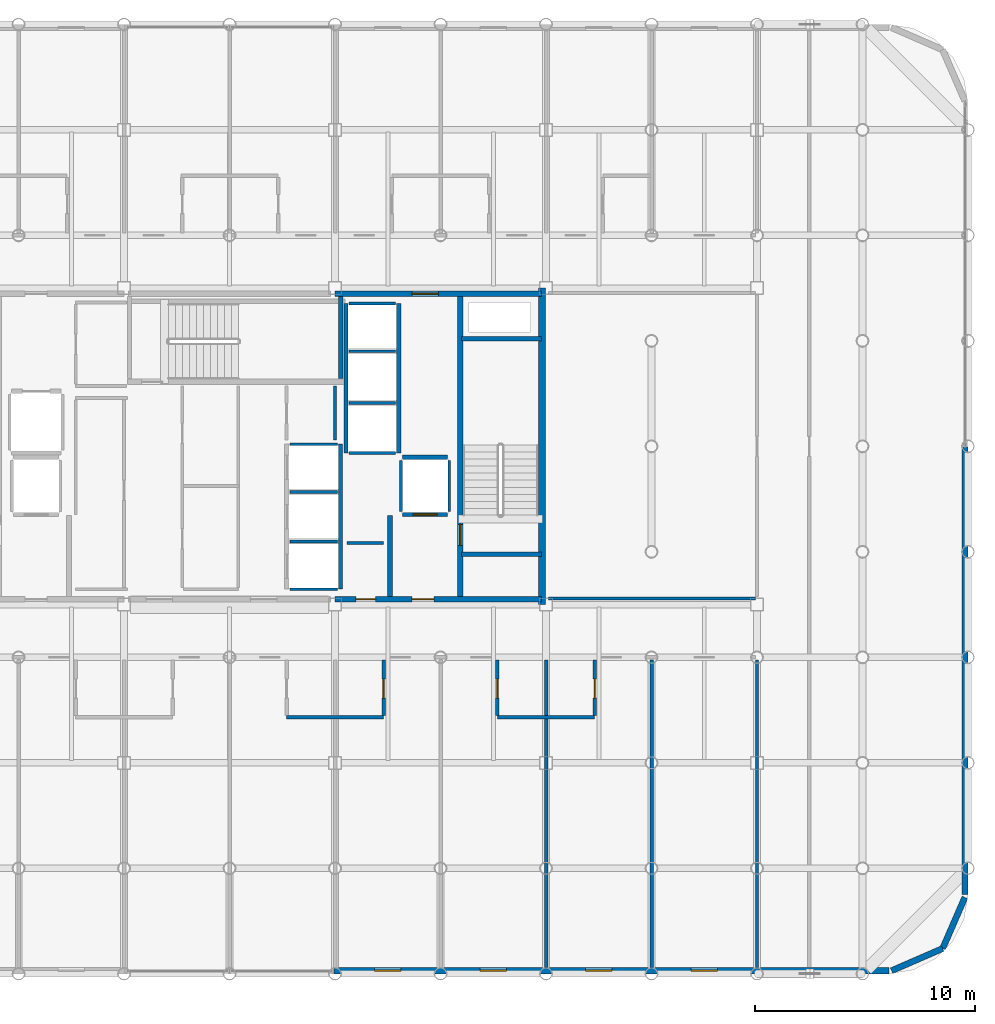
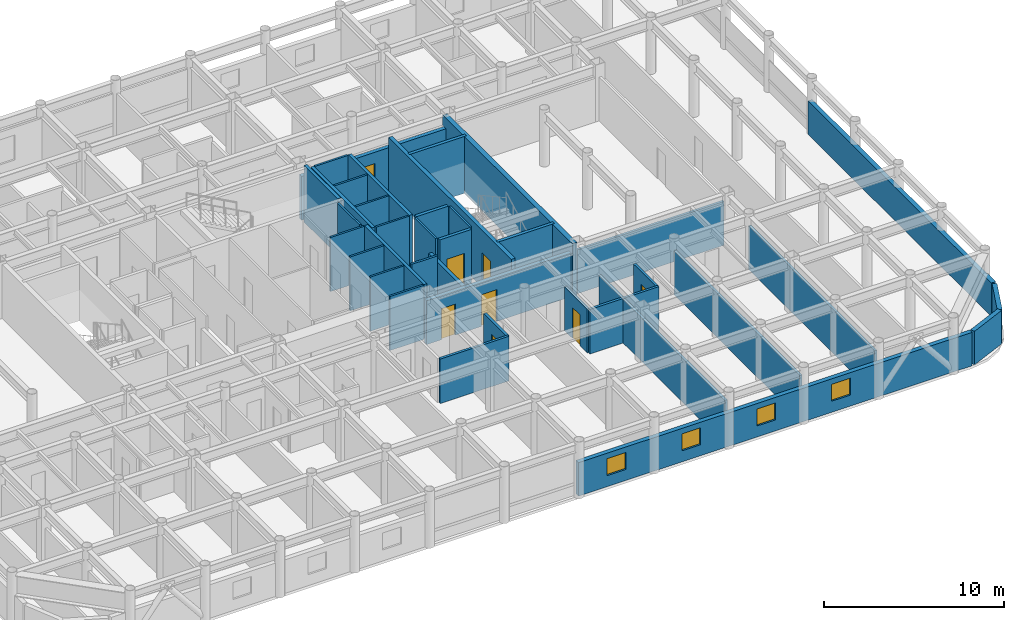
# One storey, part 19 of 22: 38 walls, 8 doors, 4 windows, 12 openings.
"""IFC4 building model written with IfcOpenShell, lengths in metres."""

from ifc_helpers import new_model, si_unit, direction, frame, frame_2d, origin, place, context, subcontext, project, spatial, rectangle, extrude, material, layer, layer_set, type_object, element, fill, save


model = new_model("IFC4")

# Units and contexts
model_context = context("Model", 3, precision=1e-05, world=origin(), true_north=direction((0.0, 1.0)))
body_context = subcontext(model_context, "Body", "Model", "MODEL_VIEW")
ifc_project = project(units=[si_unit("LENGTHUNIT", "METRE"), si_unit("AREAUNIT", "SQUARE_METRE"), si_unit("VOLUMEUNIT", "CUBIC_METRE"), si_unit("PLANEANGLEUNIT", "RADIAN"), si_unit("MASSUNIT", "GRAM", prefix="KILO")], contexts=[model_context])

# Site, building, storey
site_placement = place(None, origin())
site = spatial("IfcSite", under=ifc_project, at=site_placement, CompositionType="ELEMENT")
building_placement = place(site_placement, origin())
building = spatial("IfcBuilding", under=site, at=building_placement, Name="Kallvorn Hotel Tower", CompositionType="ELEMENT")
storey_placement = place(building_placement, frame((0.0, 0.0, 199.199951171875)))
storey = spatial("IfcBuildingStorey", under=building, at=storey_placement, Name="L49", CompositionType="ELEMENT", Elevation=199.199951171875)

# Walls
ifc_material_1 = material(Name="Concrete C50/60", Category="concrete")
ifc_layer_1 = layer(ifc_material_1, 0.300048828125)
ifc_layer_set_1 = layer_set([ifc_layer_1], Name="WL_CORE_300")
wall_type_1 = type_object("IfcWallType", Name="WL_CORE_300", PredefinedType="SHEAR", material=ifc_layer_set_1)
wall_1_placement = place(storey_placement, frame((14.215087890625, -7.199951171875, -0.179931640625), z_axis=(0.0, 0.0, 1.0), x_axis=(0.0, 1.0, 0.0)))
element("IfcWall", 1, at=wall_1_placement, inside=storey, type_object=wall_type_1, Name="L49 Core East Shear Wall", PredefinedType="SHEAR", context=body_context, shape_type="SweptSolid", body=[
    extrude(rectangle(XDim=14.39990234375, YDim=0.300048828125, at=frame_2d((7.199951171875, 0.0))), origin(), (0.0, 0.0, 1.0), 3.85009765625),
])
ifc_material_2 = material(Name="Fire-rated double-layer acoustic gypsum drywall EI 60")
ifc_layer_2 = layer(ifc_material_2, 0.159912109375)
ifc_layer_set_2 = layer_set([ifc_layer_2], Name="WL_DEMISE_160")
wall_type_2 = type_object("IfcWallType", Name="WL_DEMISE_160", PredefinedType="PARTITIONING", material=ifc_layer_set_2)
wall_2_placement = place(storey_placement, frame((2.590087890625, -12.320068359375, 0.0), z_axis=(0.0, 0.0, 1.0), x_axis=(1.0, 0.0, 0.0)))
element("IfcWall", 2, at=wall_2_placement, inside=storey, type_object=wall_type_2, Name="L49 Suite 4905 Superior Twin Room Partition", PredefinedType="PARTITIONING", context=body_context, shape_type="SweptSolid", body=[
    extrude(rectangle(XDim=4.419921875, YDim=0.159912109375, at=frame_2d((2.2099609375, 0.0))), origin(), (0.0, 0.0, 1.0), 3.02001953125),
])
wall_3_placement = place(storey_placement, frame((12.18994140625, -12.320068359375, 0.0), z_axis=(0.0, 0.0, 1.0), x_axis=(1.0, 0.0, 0.0)))
element("IfcWall", 3, at=wall_3_placement, inside=storey, type_object=wall_type_2, Name="L49 Suite 4907 Superior Twin Room Partition", PredefinedType="PARTITIONING", context=body_context, shape_type="SweptSolid", body=[
    extrude(rectangle(XDim=4.420166015625, YDim=0.159912109375, at=frame_2d((2.2099609375, 0.0))), origin(), (0.0, 0.0, 1.0), 3.02001953125),
])

# Wall, opening, door
wall_4_placement = place(storey_placement, frame((7.006591796875, -12.235107421875, 0.0), z_axis=(0.0, 0.0, 1.0), x_axis=(0.0, 1.0, 0.0)))
wall_4 = element("IfcWall", 4, at=wall_4_placement, inside=storey, type_object=wall_type_2, Name="L49 Suite 4906 Superior Twin Room Partition", PredefinedType="PARTITIONING", context=body_context, shape_type="SweptSolid", body=[
    extrude(rectangle(XDim=2.51513671875, YDim=0.159912109375, at=frame_2d((1.257568359375, 0.0))), origin(), (0.0, 0.0, 1.0), 2.969970703125),
])
opening_1_placement = place(wall_4_placement, frame((0.784912109375, 0.0, 0.0)))
opening_1 = element("IfcOpeningElement", 5, at=opening_1_placement, cuts=wall_4, Name="Opening BD-I", PredefinedType="OPENING", context=body_context, shape_type="SweptSolid", body=[
    extrude(rectangle(XDim=0.860107421875, YDim=2.10009765625, at=frame_2d((0.43017578125, 1.050048828125))), frame((0.0, 0.094970703125, 0.0), z_axis=(0.0, -1.0, 0.0), x_axis=(1.0, 0.0, 0.0)), (0.0, 0.0, 1.0), 0.18994140625),
])
ifc_material_3 = material(Name="Solid-core walnut veneer fire-rated timber door leaf", Category="wood")
door_type_1 = type_object("IfcDoorType", Name="DR_BATH_860x2100", OperationType="NOTDEFINED", PredefinedType="DOOR", material=ifc_material_3)
door_1_placement = place(opening_1_placement, origin())
door_1 = element("IfcDoor", 6, at=door_1_placement, inside=storey, type_object=door_type_1, Name="L49 Suite 4906 En-Suite Bathroom Door", OperationType="SINGLE_SWING_LEFT", OverallHeight=2.10009765625, OverallWidth=0.860107421875, PredefinedType="DOOR", context=body_context, shape_type="SweptSolid", body=[
    extrude(rectangle(XDim=0.860107421875, YDim=2.10009765625, at=frame_2d((0.43017578125, 1.050048828125))), frame((0.0, 0.02490234375, 0.0), z_axis=(0.0, -1.0, 0.0), x_axis=(1.0, 0.0, 0.0)), (0.0, 0.0, 1.0), 0.050048828125),
])
fill(opening_1, door_1)

wall_5_placement = place(storey_placement, frame((12.18994140625, -12.235107421875, 0.0), z_axis=(0.0, 0.0, 1.0), x_axis=(0.0, 1.0, 0.0)))
wall_5 = element("IfcWall", 7, at=wall_5_placement, inside=storey, type_object=wall_type_2, Name="L49 Suite 4907 Superior Twin Room Partition", PredefinedType="PARTITIONING", context=body_context, shape_type="SweptSolid", body=[
    extrude(rectangle(XDim=2.51513671875, YDim=0.159912109375, at=frame_2d((1.257568359375, 0.0))), origin(), (0.0, 0.0, 1.0), 2.969970703125),
])
opening_2_placement = place(wall_5_placement, frame((0.784912109375, 0.0, 0.0)))
opening_2 = element("IfcOpeningElement", 8, at=opening_2_placement, cuts=wall_5, Name="Opening BD-I", PredefinedType="OPENING", context=body_context, shape_type="SweptSolid", body=[
    extrude(rectangle(XDim=0.860107421875, YDim=2.10009765625, at=frame_2d((0.43017578125, 1.050048828125))), frame((0.0, 0.094970703125, 0.0), z_axis=(0.0, -1.0, 0.0), x_axis=(1.0, 0.0, 0.0)), (0.0, 0.0, 1.0), 0.18994140625),
])
door_2_placement = place(opening_2_placement, origin())
door_2 = element("IfcDoor", 9, at=door_2_placement, inside=storey, type_object=door_type_1, Name="L49 Suite 4907 En-Suite Bathroom Door", OperationType="SINGLE_SWING_RIGHT", OverallHeight=2.10009765625, OverallWidth=0.860107421875, PredefinedType="DOOR", context=body_context, shape_type="SweptSolid", body=[
    extrude(rectangle(XDim=0.860107421875, YDim=2.10009765625, at=frame_2d((0.43017578125, 1.050048828125))), frame((0.0, 0.02490234375, 0.0), z_axis=(0.0, -1.0, 0.0), x_axis=(1.0, 0.0, 0.0)), (0.0, 0.0, 1.0), 0.050048828125),
])
fill(opening_2, door_2)

# Wall
wall_6_placement = place(storey_placement, frame((14.39990234375, -23.7099609375, 0.0), z_axis=(0.0, 0.0, 1.0), x_axis=(0.0, 1.0, 0.0)))
element("IfcWall", 10, at=wall_6_placement, inside=storey, type_object=wall_type_2, Name="L49 Suite 4907 Superior Twin Room Partition", PredefinedType="PARTITIONING", context=body_context, shape_type="SweptSolid", body=[
    extrude(rectangle(XDim=13.989990234375, YDim=0.159912109375, at=frame_2d((6.9951171875, 0.0))), origin(), (0.0, 0.0, 1.0), 2.969970703125),
])

# Wall, opening, door
wall_7_placement = place(storey_placement, frame((16.610107421875, -12.235107421875, 0.0), z_axis=(0.0, 0.0, 1.0), x_axis=(0.0, 1.0, 0.0)))
wall_7 = element("IfcWall", 11, at=wall_7_placement, inside=storey, type_object=wall_type_2, Name="L49 Suite 4908 Superior Twin Room Partition", PredefinedType="PARTITIONING", context=body_context, shape_type="SweptSolid", body=[
    extrude(rectangle(XDim=2.51513671875, YDim=0.159912109375, at=frame_2d((1.257568359375, 0.0))), origin(), (0.0, 0.0, 1.0), 2.969970703125),
])
opening_3_placement = place(wall_7_placement, frame((0.784912109375, 0.0, 0.0)))
opening_3 = element("IfcOpeningElement", 12, at=opening_3_placement, cuts=wall_7, Name="Opening BD-I", PredefinedType="OPENING", context=body_context, shape_type="SweptSolid", body=[
    extrude(rectangle(XDim=0.860107421875, YDim=2.10009765625, at=frame_2d((0.43017578125, 1.050048828125))), frame((0.0, 0.094970703125, 0.0), z_axis=(0.0, -1.0, 0.0), x_axis=(1.0, 0.0, 0.0)), (0.0, 0.0, 1.0), 0.18994140625),
])
door_3_placement = place(opening_3_placement, origin())
door_3 = element("IfcDoor", 13, at=door_3_placement, inside=storey, type_object=door_type_1, Name="L49 Suite 4908 En-Suite Bathroom Door", OperationType="SINGLE_SWING_RIGHT", OverallHeight=2.10009765625, OverallWidth=0.860107421875, PredefinedType="DOOR", context=body_context, shape_type="SweptSolid", body=[
    extrude(rectangle(XDim=0.860107421875, YDim=2.10009765625, at=frame_2d((0.43017578125, 1.050048828125))), frame((0.0, 0.02490234375, 0.0), z_axis=(0.0, -1.0, 0.0), x_axis=(1.0, 0.0, 0.0)), (0.0, 0.0, 1.0), 0.050048828125),
])
fill(opening_3, door_3)

# Walls
wall_8_placement = place(storey_placement, frame((19.199951171875, -23.7099609375, 0.0), z_axis=(0.0, 0.0, 1.0), x_axis=(0.0, 1.0, 0.0)))
element("IfcWall", 14, at=wall_8_placement, inside=storey, type_object=wall_type_2, Name="L49 Suite 4908 Superior Twin Room Partition", PredefinedType="PARTITIONING", context=body_context, shape_type="SweptSolid", body=[
    extrude(rectangle(XDim=13.989990234375, YDim=0.159912109375, at=frame_2d((6.9951171875, 0.0))), origin(), (0.0, 0.0, 1.0), 2.969970703125),
])
ifc_material_4 = material(Name="Precast basalt-clad insulated concrete wall C40/50", Category="masonry")
ifc_layer_3 = layer(ifc_material_4, 0.280029296875)
ifc_layer_set_3 = layer_set([ifc_layer_3], Name="WL_EXT_LOGGIA_280")
wall_type_3 = type_object("IfcWallType", Name="WL_EXT_LOGGIA_280", PredefinedType="SOLIDWALL", material=ifc_layer_set_3)
wall_9_placement = place(storey_placement, frame((30.120849609375, -23.85791015625, 0.0), z_axis=(0.0, 0.0, 1.0), x_axis=(0.917060872934, 0.398747232384, 0.0)))
element("IfcWall", 15, at=wall_9_placement, inside=storey, type_object=wall_type_3, Name="L49 Rounded Corner Exterior Wall SE1", PredefinedType="SOLIDWALL", context=body_context, shape_type="SweptSolid", body=[
    extrude(rectangle(XDim=2.5361328125, YDim=0.280029296875, at=frame_2d((1.26806640625, 0.0))), origin(), (0.0, 0.0, 1.0), 2.27001953125),
])
wall_10_placement = place(storey_placement, frame((32.446533203125, -22.8466796875, 0.0), z_axis=(0.0, 0.0, 1.0), x_axis=(0.398792985289, 0.917040977756, 0.0)))
element("IfcWall", 16, at=wall_10_placement, inside=storey, type_object=wall_type_3, Name="L49 Rounded Corner Exterior Wall SE2", PredefinedType="SOLIDWALL", context=body_context, shape_type="SweptSolid", body=[
    extrude(rectangle(XDim=2.536376953125, YDim=0.280029296875, at=frame_2d((1.26806640625, 0.0))), origin(), (0.0, 0.0, 1.0), 2.27001953125),
])

# Wall, openings, windows
wall_11_placement = place(storey_placement, frame((4.75, -23.860107421875, 0.0), z_axis=(0.0, 0.0, 1.0), x_axis=(1.0, 0.0, 0.0)))
wall_11 = element("IfcWall", 17, at=wall_11_placement, inside=storey, type_object=wall_type_3, Name="L49 Exterior Envelope Wall EW-L49-SE", PredefinedType="SOLIDWALL", context=body_context, shape_type="SweptSolid", body=[
    extrude(rectangle(XDim=25.25, YDim=0.280029296875, at=frame_2d((12.625, 0.0))), origin(), (0.0, 0.0, 1.0), 2.27001953125),
])
opening_4_placement = place(wall_11_placement, frame((16.25, 0.0, 0.75)))
opening_4 = element("IfcOpeningElement", 18, at=opening_4_placement, cuts=wall_11, Name="Opening W06A", PredefinedType="OPENING", context=body_context, shape_type="SweptSolid", body=[
    extrude(rectangle(XDim=1.199951171875, YDim=1.14990234375, at=frame_2d((0.60009765625, 0.574951171875))), frame((0.0, 0.155029296875, 0.0), z_axis=(0.0, -1.0, 0.0), x_axis=(1.0, 0.0, 0.0)), (0.0, 0.0, 1.0), 0.31005859375),
])
opening_5_placement = place(wall_11_placement, frame((1.85009765625, 0.0, 0.75)))
opening_5 = element("IfcOpeningElement", 19, at=opening_5_placement, cuts=wall_11, Name="Opening W06A", PredefinedType="OPENING", context=body_context, shape_type="SweptSolid", body=[
    extrude(rectangle(XDim=1.199951171875, YDim=1.14990234375, at=frame_2d((0.60009765625, 0.574951171875))), frame((0.0, 0.155029296875, 0.0), z_axis=(0.0, -1.0, 0.0), x_axis=(1.0, 0.0, 0.0)), (0.0, 0.0, 1.0), 0.31005859375),
])
opening_6_placement = place(wall_11_placement, frame((6.64990234375, 0.0, 0.75)))
opening_6 = element("IfcOpeningElement", 20, at=opening_6_placement, cuts=wall_11, Name="Opening W06A", PredefinedType="OPENING", context=body_context, shape_type="SweptSolid", body=[
    extrude(rectangle(XDim=1.199951171875, YDim=1.14990234375, at=frame_2d((0.60009765625, 0.574951171875))), frame((0.0, 0.155029296875, 0.0), z_axis=(0.0, -1.0, 0.0), x_axis=(1.0, 0.0, 0.0)), (0.0, 0.0, 1.0), 0.31005859375),
])
opening_7_placement = place(wall_11_placement, frame((11.449951171875, 0.0, 0.75)))
opening_7 = element("IfcOpeningElement", 21, at=opening_7_placement, cuts=wall_11, Name="Opening W06A", PredefinedType="OPENING", context=body_context, shape_type="SweptSolid", body=[
    extrude(rectangle(XDim=1.199951171875, YDim=1.14990234375, at=frame_2d((0.60009765625, 0.574951171875))), frame((0.0, 0.155029296875, 0.0), z_axis=(0.0, -1.0, 0.0), x_axis=(1.0, 0.0, 0.0)), (0.0, 0.0, 1.0), 0.31005859375),
])
ifc_material_5 = material(Name="Triple-glazed low-e acoustic solar-control dark glass", Category="glass")
window_type = type_object("IfcWindowType", Name="WN_HTL_1200x1150", PartitioningType="SINGLE_PANEL", PredefinedType="WINDOW", material=ifc_material_5)
window_1_placement = place(opening_4_placement, origin())
window_1 = element("IfcWindow", 22, at=window_1_placement, inside=storey, type_object=window_type, Name="L49 Guestroom Exterior Window 01", OverallHeight=1.14990234375, OverallWidth=1.199951171875, PartitioningType="SINGLE_PANEL", PredefinedType="WINDOW", context=body_context, shape_type="SweptSolid", body=[
    extrude(rectangle(XDim=1.199951171875, YDim=1.14990234375, at=frame_2d((0.60009765625, 0.574951171875))), frame((0.0, 0.030029296875, 0.0), z_axis=(0.0, -1.0, 0.0), x_axis=(1.0, 0.0, 0.0)), (0.0, 0.0, 1.0), 0.06005859375),
])
fill(opening_4, window_1)
window_2_placement = place(opening_5_placement, origin())
window_2 = element("IfcWindow", 23, at=window_2_placement, inside=storey, type_object=window_type, Name="L49 Guestroom Exterior Window 06", OverallHeight=1.14990234375, OverallWidth=1.199951171875, PartitioningType="SINGLE_PANEL", PredefinedType="WINDOW", context=body_context, shape_type="SweptSolid", body=[
    extrude(rectangle(XDim=1.199951171875, YDim=1.14990234375, at=frame_2d((0.60009765625, 0.574951171875))), frame((0.0, 0.030029296875, 0.0), z_axis=(0.0, -1.0, 0.0), x_axis=(1.0, 0.0, 0.0)), (0.0, 0.0, 1.0), 0.06005859375),
])
fill(opening_5, window_2)
window_3_placement = place(opening_6_placement, origin())
window_3 = element("IfcWindow", 24, at=window_3_placement, inside=storey, type_object=window_type, Name="L49 Guestroom Exterior Window 07", OverallHeight=1.14990234375, OverallWidth=1.199951171875, PartitioningType="SINGLE_PANEL", PredefinedType="WINDOW", context=body_context, shape_type="SweptSolid", body=[
    extrude(rectangle(XDim=1.199951171875, YDim=1.14990234375, at=frame_2d((0.60009765625, 0.574951171875))), frame((0.0, 0.030029296875, 0.0), z_axis=(0.0, -1.0, 0.0), x_axis=(1.0, 0.0, 0.0)), (0.0, 0.0, 1.0), 0.06005859375),
])
fill(opening_6, window_3)
window_4_placement = place(opening_7_placement, origin())
window_4 = element("IfcWindow", 25, at=window_4_placement, inside=storey, type_object=window_type, Name="L49 Guestroom Exterior Window 08", OverallHeight=1.14990234375, OverallWidth=1.199951171875, PartitioningType="SINGLE_PANEL", PredefinedType="WINDOW", context=body_context, shape_type="SweptSolid", body=[
    extrude(rectangle(XDim=1.199951171875, YDim=1.14990234375, at=frame_2d((0.60009765625, 0.574951171875))), frame((0.0, 0.030029296875, 0.0), z_axis=(0.0, -1.0, 0.0), x_axis=(1.0, 0.0, 0.0)), (0.0, 0.0, 1.0), 0.06005859375),
])
fill(opening_7, window_4)

# Walls
wall_12_placement = place(storey_placement, frame((33.4599609375, -20.39990234375, 0.0), z_axis=(0.0, 0.0, 1.0), x_axis=(0.0, 1.0, 0.0)))
element("IfcWall", 26, at=wall_12_placement, inside=storey, type_object=wall_type_3, Name="L49 Exterior Envelope Wall EW-L49-ES", PredefinedType="SOLIDWALL", context=body_context, shape_type="SweptSolid", body=[
    extrude(rectangle(XDim=20.3798828125, YDim=0.280029296875, at=frame_2d((10.18994140625, 0.0))), origin(), (0.0, 0.0, 1.0), 2.27001953125),
])
ifc_material_6 = material(Name="Concrete C40/50", Category="concrete")
ifc_layer_4 = layer(ifc_material_6, 0.219970703125)
ifc_layer_set_4 = layer_set([ifc_layer_4], Name="WL_FFL_220")
wall_type_4 = type_object("IfcWallType", Name="WL_FFL_220", PredefinedType="SOLIDWALL", material=ifc_layer_set_4)
wall_13_placement = place(storey_placement, frame((7.300048828125, -6.820068359375, 0.0), z_axis=(0.0, 0.0, 1.0), x_axis=(0.0, 1.0, 0.0)))
element("IfcWall", 27, at=wall_13_placement, inside=storey, type_object=wall_type_4, Name="L49 Firefighting Lobby East Divider Wall", PredefinedType="SOLIDWALL", context=body_context, shape_type="SweptSolid", body=[
    extrude(rectangle(XDim=3.670166015625, YDim=0.219970703125, at=frame_2d((1.8349609375, 0.0))), origin(), (0.0, 0.0, 1.0), 2.969970703125),
])
ifc_material_7 = material(Name="Concrete C40/50", Category="concrete")
ifc_layer_5 = layer(ifc_material_7, 0.199951171875)
ifc_layer_set_5 = layer_set([ifc_layer_5], Name="WL_HOIST_200")
wall_type_5 = type_object("IfcWallType", Name="WL_HOIST_200", PredefinedType="SOLIDWALL", material=ifc_layer_set_5)
for number, where, z_axis, x_axis, name in (
    (28, (10.550048828125, -4.89990234375, -0.179931640625), (0.0, 0.0, 1.0), (1.0, 0.0, 0.0), "L49 Stair ST2 South Wall"),
    (29, (10.550048828125, 4.89990234375, -0.179931640625), (0.0, 0.0, 1.0), (1.0, 0.0, 0.0), "L49 Stair ST2 North Wall"),
):
    element("IfcWall", number, at=place(storey_placement, frame(where, z_axis=z_axis, x_axis=x_axis)), inside=storey, type_object=wall_type_5, Name=name, PredefinedType="SOLIDWALL", context=body_context, shape_type="SweptSolid", body=[
        extrude(rectangle(XDim=3.64990234375, YDim=0.199951171875, at=frame_2d((1.824951171875, 0.0))), origin(), (0.0, 0.0, 1.0), 3.85009765625),
    ])
wall_14_placement = place(storey_placement, frame((5.06005859375, 3.080078125, -0.179931640625), z_axis=(0.0, 0.0, 1.0), x_axis=(0.0, 1.0, 0.0)))
element("IfcWall", 30, at=wall_14_placement, inside=storey, type_object=wall_type_5, Name="L49 Stair ST3 East Wall", PredefinedType="SOLIDWALL", context=body_context, shape_type="SweptSolid", body=[
    extrude(rectangle(XDim=3.739990234375, YDim=0.199951171875, at=frame_2d((1.8701171875, 0.0))), origin(), (0.0, 0.0, 1.0), 3.85009765625),
])
wall_15_placement = place(storey_placement, frame((5.050048828125, -6.5, 0.0), z_axis=(0.0, 0.0, 1.0), x_axis=(0.0, 1.0, 0.0)))
element("IfcWall", 31, at=wall_15_placement, inside=storey, type_object=wall_type_5, Name="L49 Lift Bank B3A Rear Shaft Wall", PredefinedType="SOLIDWALL", context=body_context, shape_type="SweptSolid", body=[
    extrude(rectangle(XDim=6.60009765625, YDim=0.199951171875, at=frame_2d((3.300048828125, 0.0))), origin(), (0.0, 0.0, 1.0), 3.670166015625),
])
for number, where, z_axis, x_axis, name in (
    (32, (7.699951171875, -0.300048828125, 0.0), (0.0, 0.0, 1.0), (0.0, 1.0, 0.0), "L49 Lift Bank OBS Landing Wall"),
    (33, (5.300048828125, -0.300048828125, 0.0), (0.0, 0.0, 1.0), (0.0, 1.0, 0.0), "L49 Lift Bank OBS Rear Shaft Wall"),
):
    element("IfcWall", number, at=place(storey_placement, frame(where, z_axis=z_axis, x_axis=x_axis)), inside=storey, type_object=wall_type_5, Name=name, PredefinedType="SOLIDWALL", context=body_context, shape_type="SweptSolid", body=[
        extrude(rectangle(XDim=6.800048828125, YDim=0.199951171875, at=frame_2d((3.39990234375, 0.0))), origin(), (0.0, 0.0, 1.0), 3.670166015625),
    ])

# Wall, opening, door
wall_16_placement = place(storey_placement, frame((7.8798828125, -3.10009765625, 0.0), z_axis=(0.0, 0.0, 1.0), x_axis=(1.0, 0.0, 0.0)))
wall_16 = element("IfcWall", 34, at=wall_16_placement, inside=storey, type_object=wall_type_5, Name="L49 FL-2 Landing Wall", PredefinedType="SOLIDWALL", context=body_context, shape_type="SweptSolid", body=[
    extrude(rectangle(XDim=2.0400390625, YDim=0.199951171875, at=frame_2d((1.02001953125, 0.0))), origin(), (0.0, 0.0, 1.0), 3.670166015625),
])
opening_8_placement = place(wall_16_placement, frame((0.469970703125, 0.0, 0.0)))
opening_8 = element("IfcOpeningElement", 35, at=opening_8_placement, cuts=wall_16, Name="Opening LD-FL-2", PredefinedType="OPENING", context=body_context, shape_type="SweptSolid", body=[
    extrude(rectangle(XDim=1.10009765625, YDim=2.199951171875, at=frame_2d((0.550048828125, 1.10009765625))), frame((0.0, 0.114990234375, 0.0), z_axis=(0.0, -1.0, 0.0), x_axis=(1.0, 0.0, 0.0)), (0.0, 0.0, 1.0), 0.22998046875),
])
ifc_material_8 = material(Name="Brushed stainless-steel automatic sliding lift landing door", Category="steel")
door_type_2 = type_object("IfcDoorType", Name="LD_PASS_1100x2200", OperationType="SLIDING_TO_LEFT", PredefinedType="DOOR", material=ifc_material_8)
door_4_placement = place(opening_8_placement, origin())
door_4 = element("IfcDoor", 36, at=door_4_placement, inside=storey, type_object=door_type_2, Name="L49 Lift Landing Sliding Door LD-FL-2", OperationType="SLIDING_TO_LEFT", OverallHeight=2.199951171875, OverallWidth=1.10009765625, PredefinedType="DOOR", context=body_context, shape_type="SweptSolid", body=[
    extrude(rectangle(XDim=1.10009765625, YDim=2.199951171875, at=frame_2d((0.550048828125, 1.10009765625))), frame((0.0, 0.02490234375, 0.0), z_axis=(0.0, -1.0, 0.0), x_axis=(1.0, 0.0, 0.0)), (0.0, 0.0, 1.0), 0.050048828125),
])
fill(opening_8, door_4)

# Walls
wall_17_placement = place(storey_placement, frame((7.8798828125, -0.5, 0.0), z_axis=(0.0, 0.0, 1.0), x_axis=(1.0, 0.0, 0.0)))
element("IfcWall", 37, at=wall_17_placement, inside=storey, type_object=wall_type_5, Name="L49 FL-2 Rear Shaft Wall", PredefinedType="SOLIDWALL", context=body_context, shape_type="SweptSolid", body=[
    extrude(rectangle(XDim=2.0400390625, YDim=0.199951171875, at=frame_2d((1.02001953125, 0.0))), origin(), (0.0, 0.0, 1.0), 3.670166015625),
])
ifc_material_9 = material(Name="Fire-rated double-layer acoustic gypsum drywall EI 60")
ifc_layer_6 = layer(ifc_material_9, 0.1201171875)
ifc_layer_set_6 = layer_set([ifc_layer_6], Name="WL_INT_120")
wall_type_6 = type_object("IfcWallType", Name="WL_INT_120", PredefinedType="PARTITIONING", material=ifc_layer_set_6)
for number, where, z_axis, x_axis, name in (
    (38, (2.739990234375, -6.5, 0.0), (0.0, 0.0, 1.0), (1.0, 0.0, 0.0), "L49 Lift Bank B3A South Closure Wall"),
    (39, (2.739990234375, -4.324951171875, 0.0), (0.0, 0.0, 1.0), (1.0, 0.0, 0.0), "L49 PL-09 Hoistway Divider"),
    (40, (2.739990234375, -2.074951171875, 0.0), (0.0, 0.0, 1.0), (1.0, 0.0, 0.0), "L49 PL-10 Hoistway Divider"),
    (41, (2.739990234375, 0.10009765625, 0.0), (0.0, 0.0, 1.0), (1.0, 0.0, 0.0), "L49 PL-11 Hoistway Divider"),
):
    element("IfcWall", number, at=place(storey_placement, frame(where, z_axis=z_axis, x_axis=x_axis)), inside=storey, type_object=wall_type_6, Name=name, PredefinedType="PARTITIONING", context=body_context, shape_type="SweptSolid", body=[
        extrude(rectangle(XDim=2.169921875, YDim=0.1201171875, at=frame_2d((1.0849609375, 0.0))), origin(), (0.0, 0.0, 1.0), 3.670166015625),
    ])
for number, where, z_axis, x_axis, name in (
    (42, (5.43994140625, -0.300048828125, 0.0), (0.0, 0.0, 1.0), (1.0, 0.0, 0.0), "L49 Lift Bank OBS South Closure Wall"),
    (43, (5.43994140625, 1.97509765625, 0.0), (0.0, 0.0, 1.0), (1.0, 0.0, 0.0), "L49 OB-01 Hoistway Divider"),
    (44, (5.43994140625, 4.324951171875, 0.0), (0.0, 0.0, 1.0), (1.0, 0.0, 0.0), "L49 OB-02 Hoistway Divider"),
    (45, (5.43994140625, 6.5, 0.0), (0.0, 0.0, 1.0), (1.0, 0.0, 0.0), "L49 OB-03 Hoistway Divider"),
):
    element("IfcWall", number, at=place(storey_placement, frame(where, z_axis=z_axis, x_axis=x_axis)), inside=storey, type_object=wall_type_6, Name=name, PredefinedType="PARTITIONING", context=body_context, shape_type="SweptSolid", body=[
        extrude(rectangle(XDim=2.1201171875, YDim=0.1201171875, at=frame_2d((1.06005859375, 0.0))), origin(), (0.0, 0.0, 1.0), 3.670166015625),
    ])
for number, where, z_axis, x_axis, name in (
    (46, (7.800048828125, -2.9599609375, 0.0), (0.0, 0.0, 1.0), (0.0, 1.0, 0.0), "L49 FL-2 West Shaft Wall"),
    (47, (10.0, -2.9599609375, 0.0), (0.0, 0.0, 1.0), (0.0, 1.0, 0.0), "L49 FL-2 East Shaft Wall"),
):
    element("IfcWall", number, at=place(storey_placement, frame(where, z_axis=z_axis, x_axis=x_axis)), inside=storey, type_object=wall_type_6, Name=name, PredefinedType="PARTITIONING", context=body_context, shape_type="SweptSolid", body=[
        extrude(rectangle(XDim=2.320068359375, YDim=0.1201171875, at=frame_2d((1.16015625, 0.0))), origin(), (0.0, 0.0, 1.0), 3.670166015625),
    ])
wall_18_placement = place(storey_placement, frame((4.800048828125, 0.300048828125, 0.0), z_axis=(0.0, 0.0, 1.0), x_axis=(0.0, 1.0, 0.0)))
element("IfcWall", 48, at=wall_18_placement, inside=storey, type_object=wall_type_6, Name="L49 East Core Janitor Room Partition", PredefinedType="PARTITIONING", context=body_context, shape_type="SweptSolid", body=[
    extrude(rectangle(XDim=2.449951171875, YDim=0.1201171875, at=frame_2d((1.22509765625, 0.0))), origin(), (0.0, 0.0, 1.0), 3.670166015625),
])
ifc_material_10 = material(Name="Fire-rated double-layer acoustic gypsum drywall EI 60")
ifc_layer_7 = layer(ifc_material_10, 0.14990234375)
ifc_layer_set_7 = layer_set([ifc_layer_7], Name="WL_PART_150")
wall_type_7 = type_object("IfcWallType", Name="WL_PART_150", PredefinedType="PARTITIONING", material=ifc_layer_set_7)
wall_19_placement = place(storey_placement, frame((14.52001953125, -6.919921875, 0.0), z_axis=(0.0, 0.0, 1.0), x_axis=(1.0, 0.0, 0.0)))
element("IfcWall", 49, at=wall_19_placement, inside=storey, type_object=wall_type_7, Name="L49 L49 High-Zone Inner East Club Gallery Partition", PredefinedType="PARTITIONING", context=body_context, shape_type="SweptSolid", body=[
    extrude(rectangle(XDim=9.39990234375, YDim=0.14990234375, at=frame_2d((4.699951171875, 0.0))), origin(), (0.0, 0.0, 1.0), 2.969970703125),
])
wall_20_placement = place(storey_placement, frame((24.0, -23.7099609375, 0.0), z_axis=(0.0, 0.0, 1.0), x_axis=(0.0, 1.0, 0.0)))
element("IfcWall", 50, at=wall_20_placement, inside=storey, type_object=wall_type_7, Name="L49 L49 High-Zone South-East Wine Bar Partition", PredefinedType="PARTITIONING", context=body_context, shape_type="SweptSolid", body=[
    extrude(rectangle(XDim=13.989990234375, YDim=0.14990234375, at=frame_2d((6.9951171875, 0.0))), origin(), (0.0, 0.0, 1.0), 2.969970703125),
])
ifc_material_11 = material(Name="Moisture-resistant acoustic plumbing chase wall EI 60")
ifc_layer_8 = layer(ifc_material_11, 0.139892578125)
ifc_layer_set_8 = layer_set([ifc_layer_8], Name="WL_PLUMB_140")
wall_type_8 = type_object("IfcWallType", Name="WL_PLUMB_140", PredefinedType="PLUMBINGWALL", material=ifc_layer_set_8)
wall_21_placement = place(storey_placement, frame((5.35009765625, -4.39990234375, 0.0), z_axis=(0.0, 0.0, 1.0), x_axis=(1.0, 0.0, 0.0)))
element("IfcWall", 51, at=wall_21_placement, inside=storey, type_object=wall_type_8, Name="L49 Core Staff Restroom WC Partition", PredefinedType="PLUMBINGWALL", context=body_context, shape_type="SweptSolid", body=[
    extrude(rectangle(XDim=1.64990234375, YDim=0.139892578125, at=frame_2d((0.824951171875, 0.0))), origin(), (0.0, 0.0, 1.0), 3.670166015625),
])

# Wall, openings, doors
ifc_material_12 = material(Name="Concrete C40/50", Category="concrete")
ifc_layer_9 = layer(ifc_material_12, 0.25)
ifc_layer_set_9 = layer_set([ifc_layer_9], Name="WL_SHAFT_250")
wall_type_9 = type_object("IfcWallType", Name="WL_SHAFT_250", PredefinedType="SOLIDWALL", material=ifc_layer_set_9)
wall_22_placement = place(storey_placement, frame((4.800048828125, -6.949951171875, 0.0), z_axis=(0.0, 0.0, 1.0), x_axis=(1.0, 0.0, 0.0)))
wall_22 = element("IfcWall", 52, at=wall_22_placement, inside=storey, type_object=wall_type_9, Name="L49 Core South-East Wall", PredefinedType="SOLIDWALL", context=body_context, shape_type="SweptSolid", body=[
    extrude(rectangle(XDim=9.39990234375, YDim=0.25, at=frame_2d((4.699951171875, 0.0))), origin(), (0.0, 0.0, 1.0), 2.969970703125),
])
opening_9_placement = place(wall_22_placement, frame((3.5, 0.0, 0.0)))
opening_9 = element("IfcOpeningElement", 53, at=opening_9_placement, cuts=wall_22, Name="Opening FD1", PredefinedType="OPENING", context=body_context, shape_type="SweptSolid", body=[
    extrude(rectangle(XDim=1.0, YDim=2.14990234375, at=frame_2d((0.5, 1.074951171875))), frame((0.0, 0.139892578125, 0.0), z_axis=(0.0, -1.0, 0.0), x_axis=(1.0, 0.0, 0.0)), (0.0, 0.0, 1.0), 0.280029296875),
])
opening_10_placement = place(wall_22_placement, frame((0.949951171875, 0.0, 0.0)))
opening_10 = element("IfcOpeningElement", 54, at=opening_10_placement, cuts=wall_22, Name="Opening SVD1", PredefinedType="OPENING", context=body_context, shape_type="SweptSolid", body=[
    extrude(rectangle(XDim=0.89990234375, YDim=2.10009765625, at=frame_2d((0.449951171875, 1.050048828125))), frame((0.0, 0.139892578125, 0.0), z_axis=(0.0, -1.0, 0.0), x_axis=(1.0, 0.0, 0.0)), (0.0, 0.0, 1.0), 0.280029296875),
])
ifc_material_13 = material(Name="Galvanised painted steel fire-rated door assembly", Category="steel")
door_type_3 = type_object("IfcDoorType", Name="DR_FFL_1000x2150", OperationType="NOTDEFINED", PredefinedType="DOOR", material=ifc_material_13)
door_5_placement = place(opening_9_placement, origin())
door_5 = element("IfcDoor", 55, at=door_5_placement, inside=storey, type_object=door_type_3, Name="L49 Firefighting Lobby East Door", OperationType="SINGLE_SWING_LEFT", OverallHeight=2.14990234375, OverallWidth=1.0, PredefinedType="DOOR", context=body_context, shape_type="SweptSolid", body=[
    extrude(rectangle(XDim=1.0, YDim=2.14990234375, at=frame_2d((0.5, 1.074951171875))), frame((0.0, 0.02490234375, 0.0), z_axis=(0.0, -1.0, 0.0), x_axis=(1.0, 0.0, 0.0)), (0.0, 0.0, 1.0), 0.050048828125),
])
fill(opening_9, door_5)
ifc_material_14 = material(Name="Galvanised painted steel fire-rated door assembly", Category="steel")
door_type_4 = type_object("IfcDoorType", Name="DR_SERV_900x2100", OperationType="NOTDEFINED", PredefinedType="DOOR", material=ifc_material_14)
door_6_placement = place(opening_10_placement, origin())
door_6 = element("IfcDoor", 56, at=door_6_placement, inside=storey, type_object=door_type_4, Name="L49 Core Staff Restroom WC Door", OperationType="SINGLE_SWING_LEFT", OverallHeight=2.10009765625, OverallWidth=0.89990234375, PredefinedType="DOOR", context=body_context, shape_type="SweptSolid", body=[
    extrude(rectangle(XDim=0.89990234375, YDim=2.10009765625, at=frame_2d((0.449951171875, 1.050048828125))), frame((0.0, 0.02490234375, 0.0), z_axis=(0.0, -1.0, 0.0), x_axis=(1.0, 0.0, 0.0)), (0.0, 0.0, 1.0), 0.050048828125),
])
fill(opening_10, door_6)

# Wall, opening, door
wall_23_placement = place(storey_placement, frame((4.800048828125, 6.949951171875, 0.0), z_axis=(0.0, 0.0, 1.0), x_axis=(1.0, 0.0, 0.0)))
wall_23 = element("IfcWall", 57, at=wall_23_placement, inside=storey, type_object=wall_type_9, Name="L49 Core North-East Wall", PredefinedType="SOLIDWALL", context=body_context, shape_type="SweptSolid", body=[
    extrude(rectangle(XDim=9.39990234375, YDim=0.25, at=frame_2d((4.699951171875, 0.0))), origin(), (0.0, 0.0, 1.0), 2.969970703125),
])
opening_11_placement = place(wall_23_placement, frame((3.5, 0.0, 0.0)))
opening_11 = element("IfcOpeningElement", 58, at=opening_11_placement, cuts=wall_23, Name="Opening FD2", PredefinedType="OPENING", context=body_context, shape_type="SweptSolid", body=[
    extrude(rectangle(XDim=1.199951171875, YDim=2.199951171875, at=frame_2d((0.60009765625, 1.10009765625))), frame((0.0, 0.139892578125, 0.0), z_axis=(0.0, -1.0, 0.0), x_axis=(1.0, 0.0, 0.0)), (0.0, 0.0, 1.0), 0.280029296875),
])
ifc_material_15 = material(Name="Galvanised painted steel fire-rated door assembly", Category="steel")
door_type_5 = type_object("IfcDoorType", Name="DR_LOBBY_1200x2200", OperationType="DOUBLE_DOOR_SINGLE_SWING", PredefinedType="DOOR", material=ifc_material_15)
door_7_placement = place(opening_11_placement, origin())
door_7 = element("IfcDoor", 59, at=door_7_placement, inside=storey, type_object=door_type_5, Name="L49 Observatory Shuttle Lobby Door", OperationType="DOUBLE_DOOR_SINGLE_SWING", OverallHeight=2.199951171875, OverallWidth=1.199951171875, PredefinedType="DOOR", context=body_context, shape_type="SweptSolid", body=[
    extrude(rectangle(XDim=1.199951171875, YDim=2.199951171875, at=frame_2d((0.60009765625, 1.10009765625))), frame((0.0, 0.02490234375, 0.0), z_axis=(0.0, -1.0, 0.0), x_axis=(1.0, 0.0, 0.0)), (0.0, 0.0, 1.0), 0.050048828125),
])
fill(opening_11, door_7)

wall_24_placement = place(storey_placement, frame((10.5, -6.820068359375, -0.179931640625), z_axis=(0.0, 0.0, 1.0), x_axis=(0.0, 1.0, 0.0)))
wall_24 = element("IfcWall", 60, at=wall_24_placement, inside=storey, type_object=wall_type_9, Name="L49 Stair ST2 Shaft Wall", PredefinedType="SOLIDWALL", context=body_context, shape_type="SweptSolid", body=[
    extrude(rectangle(XDim=13.64013671875, YDim=0.25, at=frame_2d((6.820068359375, 0.0))), origin(), (0.0, 0.0, 1.0), 3.85009765625),
])
opening_12_placement = place(wall_24_placement, frame((2.320068359375, 0.0, 0.179931640625)))
opening_12 = element("IfcOpeningElement", 61, at=opening_12_placement, cuts=wall_24, Name="Opening SD1", PredefinedType="OPENING", context=body_context, shape_type="SweptSolid", body=[
    extrude(rectangle(XDim=0.949951171875, YDim=2.14990234375, at=frame_2d((0.47509765625, 1.074951171875))), frame((0.0, 0.139892578125, 0.0), z_axis=(0.0, -1.0, 0.0), x_axis=(1.0, 0.0, 0.0)), (0.0, 0.0, 1.0), 0.280029296875),
])
ifc_material_16 = material(Name="Galvanised painted steel fire-rated door assembly", Category="steel")
door_type_6 = type_object("IfcDoorType", Name="DR_STAIR_950x2150", OperationType="NOTDEFINED", PredefinedType="DOOR", material=ifc_material_16)
door_8_placement = place(opening_12_placement, origin())
door_8 = element("IfcDoor", 62, at=door_8_placement, inside=storey, type_object=door_type_6, Name="L49 Exit Stair ST2 Fire Door", OperationType="SINGLE_SWING_RIGHT", OverallHeight=2.14990234375, OverallWidth=0.949951171875, PredefinedType="DOOR", context=body_context, shape_type="SweptSolid", body=[
    extrude(rectangle(XDim=0.949951171875, YDim=2.14990234375, at=frame_2d((0.47509765625, 1.074951171875))), frame((0.0, 0.02490234375, 0.0), z_axis=(0.0, -1.0, 0.0), x_axis=(1.0, 0.0, 0.0)), (0.0, 0.0, 1.0), 0.050048828125),
])
fill(opening_12, door_8)

save(model, "model.ifc")
